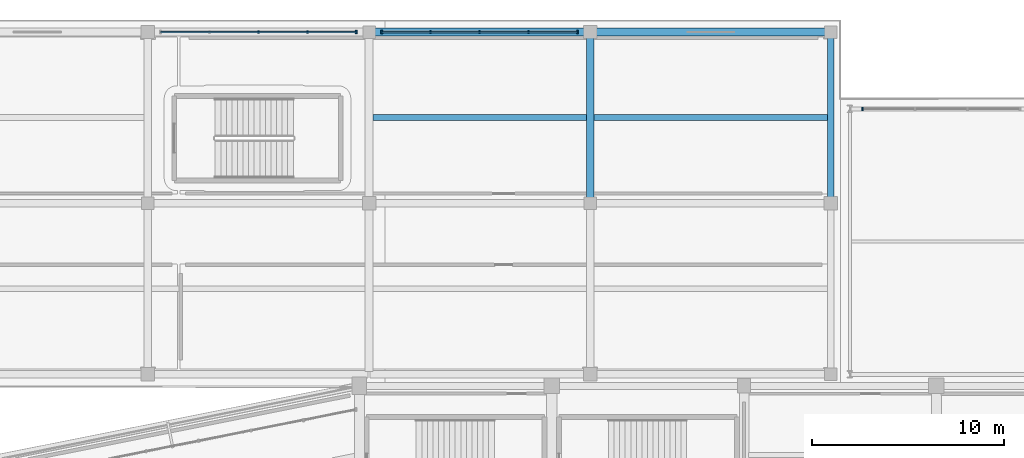
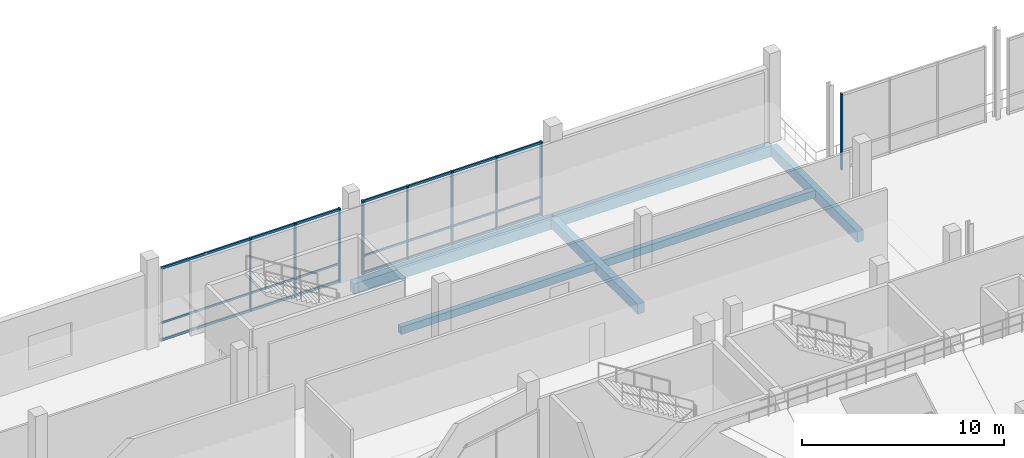
# One storey, part 53 of 127: 15 members, 6 beams, 3 elements without a shape of their own.
"""IFC4 building model written with IfcOpenShell, lengths in metres."""

from ifc_helpers import new_model, si_unit, direction, frame, origin, origin_2d, place, context, subcontext, project, spatial, rectangle, extrude, material, material_profile, profile_set, type_object, element, aggregate, save


model = new_model("IFC4")

# Units and contexts
model_context = context("Model", 3, precision=1e-05, world=origin(), true_north=direction((0.0, 1.0)))
body_context = subcontext(model_context, "Body", "Model", "MODEL_VIEW")
ifc_project = project(units=[si_unit("LENGTHUNIT", "METRE"), si_unit("AREAUNIT", "SQUARE_METRE"), si_unit("VOLUMEUNIT", "CUBIC_METRE"), si_unit("PLANEANGLEUNIT", "RADIAN"), si_unit("MASSUNIT", "GRAM", prefix="KILO")], contexts=[model_context])

# Site, building, storey
site_placement = place(None, origin())
site = spatial("IfcSite", under=ifc_project, at=site_placement, CompositionType="ELEMENT")
building_placement = place(site_placement, origin())
building = spatial("IfcBuilding", under=site, at=building_placement, Name="Candeia Ridge Stadium", CompositionType="ELEMENT")
storey_placement = place(building_placement, frame((0.0, 0.0, 10.800048828125)))
storey = spatial("IfcBuildingStorey", under=building, at=storey_placement, Name="L02", CompositionType="ELEMENT", Elevation=10.800048828125)

# Curtain wall, member
ifc_material_1 = material(Name="Aluminium Anodized Warm Bronze", Category="aluminium")
curtain_wall_type_1 = type_object("IfcCurtainWallType", Name="Museum & Boulevard Showcase Curtain Wall", PredefinedType="NOTDEFINED", material=ifc_material_1)
curtain_wall_1_placement = place(storey_placement, origin())
curtain_wall_1 = element("IfcCurtainWall", 1, at=curtain_wall_1_placement, inside=storey, type_object=curtain_wall_type_1, Name="Unitised curtain wall CW-WNG-L02-150", PredefinedType="NOTDEFINED")
ifc_material_profile_1 = material_profile(ifc_material_1, rectangle(XDim=0.090087890625, YDim=0.179931640625, at=origin_2d()), Name="CWM-90x180", Category="aluminium")
ifc_profile_set_1 = profile_set([ifc_material_profile_1], Name="Aluminium Anodized Warm Bronze")
member_type_1 = type_object("IfcMemberType", Name="Curtain Wall Primary Mullion 90x180", PredefinedType="MULLION", material=ifc_profile_set_1)
member_1_placement = place(storey_placement, frame((70.840087890625, 165.39990234375, 0.0), z_axis=(0.0, 0.0, 1.0), x_axis=(1.0, 0.0, 0.0)))
member_1 = element("IfcMember", 2, at=member_1_placement, type_object=member_type_1, Name="Curtain wall mullion CW-WNG-L02-150-M4", PredefinedType="MULLION", context=body_context, shape_type="SweptSolid", body=[
    extrude(rectangle(XDim=0.090087890625, YDim=0.179931640625, at=origin_2d()), origin(), (0.0, 0.0, 1.0), 4.454833984375),
])

# Curtain wall, members
curtain_wall_2_placement = place(storey_placement, origin())
curtain_wall_2 = element("IfcCurtainWall", 3, at=curtain_wall_2_placement, inside=storey, type_object=curtain_wall_type_1, Name="Unitised curtain wall CW-WNG-L02-151", PredefinedType="NOTDEFINED")
member_2_placement = place(storey_placement, frame((72.159912109375, 165.39990234375, 0.0), z_axis=(0.0, 0.0, 1.0), x_axis=(1.0, 0.0, 0.0)))
member_2 = element("IfcMember", 4, at=member_2_placement, type_object=member_type_1, Name="Curtain wall mullion CW-WNG-L02-151-M0", PredefinedType="MULLION", context=body_context, shape_type="SweptSolid", body=[
    extrude(rectangle(XDim=0.090087890625, YDim=0.179931640625, at=origin_2d()), origin(), (0.0, 0.0, 1.0), 4.454833984375),
])
member_3_placement = place(storey_placement, frame((82.340087890625, 165.39990234375, 0.0), z_axis=(0.0, 0.0, 1.0), x_axis=(1.0, 0.0, 0.0)))
member_3 = element("IfcMember", 5, at=member_3_placement, type_object=member_type_1, Name="Curtain wall mullion CW-WNG-L02-151-M4", PredefinedType="MULLION", context=body_context, shape_type="SweptSolid", body=[
    extrude(rectangle(XDim=0.090087890625, YDim=0.179931640625, at=origin_2d()), origin(), (0.0, 0.0, 1.0), 4.454833984375),
])

# Curtain wall, member
curtain_wall_type_2 = type_object("IfcCurtainWallType", Name="Cardinal Entrance Gate Tall Glazed Curtain Wall", PredefinedType="NOTDEFINED", material=ifc_material_1)
curtain_wall_3_placement = place(storey_placement, origin())
curtain_wall_3 = element("IfcCurtainWall", 6, at=curtain_wall_3_placement, inside=storey, type_object=curtain_wall_type_2, Name="Unitised curtain wall CW-WNG-L02-155", PredefinedType="NOTDEFINED")
member_4_placement = place(storey_placement, frame((97.159912109375, 161.39990234375, 0.0), z_axis=(0.0, 0.0, 1.0), x_axis=(1.0, 0.0, 0.0)))
member_4 = element("IfcMember", 7, at=member_4_placement, type_object=member_type_1, Name="Curtain wall mullion CW-WNG-L02-155-M0", PredefinedType="MULLION", context=body_context, shape_type="SweptSolid", body=[
    extrude(rectangle(XDim=0.090087890625, YDim=0.179931640625, at=origin_2d()), origin(), (0.0, 0.0, 1.0), 4.572021484375),
])
aggregate(curtain_wall_3, [member_4])

# Member
ifc_material_profile_2 = material_profile(ifc_material_1, rectangle(XDim=0.074951171875, YDim=0.14990234375, at=origin_2d()), Name="CWM-75x150", Category="aluminium")
ifc_profile_set_2 = profile_set([ifc_material_profile_2], Name="Aluminium Anodized Warm Bronze")
member_type_2 = type_object("IfcMemberType", Name="Curtain Wall Secondary Mullion 75x150", PredefinedType="MULLION", material=ifc_profile_set_2)
member_5_placement = place(storey_placement, frame((65.75, 165.39990234375, 0.0), z_axis=(0.0, 0.0, 1.0), x_axis=(1.0, 0.0, 0.0)))
member_5 = element("IfcMember", 8, at=member_5_placement, type_object=member_type_2, Name="Curtain wall mullion CW-WNG-L02-150-M2", PredefinedType="MULLION", context=body_context, shape_type="SweptSolid", body=[
    extrude(rectangle(XDim=0.074951171875, YDim=0.14990234375, at=origin_2d()), origin(), (0.0, 0.0, 1.0), 4.454833984375),
])

member_6_placement = place(storey_placement, frame((68.294921875, 165.39990234375, 0.0), z_axis=(0.0, 0.0, 1.0), x_axis=(1.0, 0.0, 0.0)))
member_6 = element("IfcMember", 9, at=member_6_placement, type_object=member_type_2, Name="Curtain wall mullion CW-WNG-L02-150-M3", PredefinedType="MULLION", context=body_context, shape_type="SweptSolid", body=[
    extrude(rectangle(XDim=0.074951171875, YDim=0.14990234375, at=origin_2d()), origin(), (0.0, 0.0, 1.0), 4.454833984375),
])

member_7_placement = place(storey_placement, frame((74.705078125, 165.39990234375, 0.0), z_axis=(0.0, 0.0, 1.0), x_axis=(1.0, 0.0, 0.0)))
member_7 = element("IfcMember", 10, at=member_7_placement, type_object=member_type_2, Name="Curtain wall mullion CW-WNG-L02-151-M1", PredefinedType="MULLION", context=body_context, shape_type="SweptSolid", body=[
    extrude(rectangle(XDim=0.074951171875, YDim=0.14990234375, at=origin_2d()), origin(), (0.0, 0.0, 1.0), 4.454833984375),
])

member_8_placement = place(storey_placement, frame((77.25, 165.39990234375, 0.0), z_axis=(0.0, 0.0, 1.0), x_axis=(1.0, 0.0, 0.0)))
member_8 = element("IfcMember", 11, at=member_8_placement, type_object=member_type_2, Name="Curtain wall mullion CW-WNG-L02-151-M2", PredefinedType="MULLION", context=body_context, shape_type="SweptSolid", body=[
    extrude(rectangle(XDim=0.074951171875, YDim=0.14990234375, at=origin_2d()), origin(), (0.0, 0.0, 1.0), 4.454833984375),
])

member_9_placement = place(storey_placement, frame((79.794921875, 165.39990234375, 0.0), z_axis=(0.0, 0.0, 1.0), x_axis=(1.0, 0.0, 0.0)))
member_9 = element("IfcMember", 12, at=member_9_placement, type_object=member_type_2, Name="Curtain wall mullion CW-WNG-L02-151-M3", PredefinedType="MULLION", context=body_context, shape_type="SweptSolid", body=[
    extrude(rectangle(XDim=0.074951171875, YDim=0.14990234375, at=origin_2d()), origin(), (0.0, 0.0, 1.0), 4.454833984375),
])

ifc_material_profile_3 = material_profile(ifc_material_1, rectangle(XDim=0.074951171875, YDim=0.110107421875, at=origin_2d()), Name="CWT-75x110", Category="aluminium")
ifc_profile_set_3 = profile_set([ifc_material_profile_3], Name="Aluminium Anodized Warm Bronze")
member_type_3 = type_object("IfcMemberType", Name="Curtain Wall Secondary Transom 75x110", PredefinedType="USERDEFINED", material=ifc_profile_set_3)
member_10_placement = place(storey_placement, frame((60.659912109375, 165.39990234375, 1.099853515625), z_axis=(1.0, 0.0, 0.0), x_axis=(0.0, 1.0, 0.0)))
member_10 = element("IfcMember", 13, at=member_10_placement, type_object=member_type_3, Name="Curtain wall transom CW-WNG-L02-150-T1", ObjectType="TRANSOM", PredefinedType="USERDEFINED", context=body_context, shape_type="SweptSolid", body=[
    extrude(rectangle(XDim=0.074951171875, YDim=0.110107421875, at=origin_2d()), origin(), (0.0, 0.0, 1.0), 10.18017578125),
])

member_11_placement = place(storey_placement, frame((72.159912109375, 165.39990234375, 1.099853515625), z_axis=(1.0, 0.0, 0.0), x_axis=(0.0, 1.0, 0.0)))
member_11 = element("IfcMember", 14, at=member_11_placement, type_object=member_type_3, Name="Curtain wall transom CW-WNG-L02-151-T1", ObjectType="TRANSOM", PredefinedType="USERDEFINED", context=body_context, shape_type="SweptSolid", body=[
    extrude(rectangle(XDim=0.074951171875, YDim=0.110107421875, at=origin_2d()), origin(), (0.0, 0.0, 1.0), 10.18017578125),
])

ifc_material_profile_4 = material_profile(ifc_material_1, rectangle(XDim=0.090087890625, YDim=0.139892578125, at=origin_2d()), Name="CWT-90x140", Category="aluminium")
ifc_profile_set_4 = profile_set([ifc_material_profile_4], Name="Aluminium Anodized Warm Bronze")
member_type_4 = type_object("IfcMemberType", Name="Curtain Wall Transom 90x140", PredefinedType="USERDEFINED", material=ifc_profile_set_4)
member_12_placement = place(storey_placement, frame((60.659912109375, 165.39990234375, 0.070068359375), z_axis=(1.0, 0.0, 0.0), x_axis=(0.0, 1.0, 0.0)))
member_12 = element("IfcMember", 15, at=member_12_placement, type_object=member_type_4, Name="Curtain wall transom CW-WNG-L02-150-T0", ObjectType="TRANSOM", PredefinedType="USERDEFINED", context=body_context, shape_type="SweptSolid", body=[
    extrude(rectangle(XDim=0.090087890625, YDim=0.139892578125, at=origin_2d()), origin(), (0.0, 0.0, 1.0), 10.18017578125),
])

member_13_placement = place(storey_placement, frame((60.659912109375, 165.39990234375, 4.385009765625), z_axis=(1.0, 0.0, 0.0), x_axis=(0.0, 1.0, 0.0)))
member_13 = element("IfcMember", 16, at=member_13_placement, type_object=member_type_4, Name="Curtain wall transom CW-WNG-L02-150-T2", ObjectType="TRANSOM", PredefinedType="USERDEFINED", context=body_context, shape_type="SweptSolid", body=[
    extrude(rectangle(XDim=0.090087890625, YDim=0.139892578125, at=origin_2d()), origin(), (0.0, 0.0, 1.0), 10.18017578125),
])

aggregate(curtain_wall_1, [member_5, member_6, member_1, member_12, member_10, member_13])

member_14_placement = place(storey_placement, frame((72.159912109375, 165.39990234375, 0.070068359375), z_axis=(1.0, 0.0, 0.0), x_axis=(0.0, 1.0, 0.0)))
member_14 = element("IfcMember", 17, at=member_14_placement, type_object=member_type_4, Name="Curtain wall transom CW-WNG-L02-151-T0", ObjectType="TRANSOM", PredefinedType="USERDEFINED", context=body_context, shape_type="SweptSolid", body=[
    extrude(rectangle(XDim=0.090087890625, YDim=0.139892578125, at=origin_2d()), origin(), (0.0, 0.0, 1.0), 10.18017578125),
])

member_15_placement = place(storey_placement, frame((72.159912109375, 165.39990234375, 4.385009765625), z_axis=(1.0, 0.0, 0.0), x_axis=(0.0, 1.0, 0.0)))
member_15 = element("IfcMember", 18, at=member_15_placement, type_object=member_type_4, Name="Curtain wall transom CW-WNG-L02-151-T2", ObjectType="TRANSOM", PredefinedType="USERDEFINED", context=body_context, shape_type="SweptSolid", body=[
    extrude(rectangle(XDim=0.090087890625, YDim=0.139892578125, at=origin_2d()), origin(), (0.0, 0.0, 1.0), 10.18017578125),
])

aggregate(curtain_wall_2, [member_2, member_7, member_8, member_9, member_3, member_14, member_11, member_15])

# Beams
ifc_material_2 = material(Name="Concrete C40/50", Category="concrete")
ifc_material_profile_5 = material_profile(ifc_material_2, rectangle(XDim=0.300048828125, YDim=0.449951171875, at=origin_2d()), Name="RC300x450", Category="concrete")
ifc_profile_set_5 = profile_set([ifc_material_profile_5], Name="Concrete C40/50")
beam_type_1 = type_object("IfcBeamType", Name="Floor Joist RC300x450", PredefinedType="JOIST", material=ifc_profile_set_5)
beam_1_placement = place(storey_placement, frame((71.699462890625, 160.949951171875, -0.485107421875), z_axis=(1.0, 0.0, 0.0), x_axis=(0.0, 1.0, 0.0)))
element("IfcBeam", 19, at=beam_1_placement, inside=storey, type_object=beam_type_1, Name="Wing secondary joist BM-L02-1725", PredefinedType="JOIST", context=body_context, shape_type="SweptSolid", body=[
    extrude(rectangle(XDim=0.300048828125, YDim=0.449951171875, at=origin_2d()), origin(), (0.0, 0.0, 1.0), 11.10107421875),
])
beam_2_placement = place(storey_placement, frame((83.199462890625, 160.949951171875, -0.485107421875), z_axis=(1.0, 0.0, 0.0), x_axis=(0.0, 1.0, 0.0)))
element("IfcBeam", 20, at=beam_2_placement, inside=storey, type_object=beam_type_1, Name="Wing secondary joist BM-L02-1730", PredefinedType="JOIST", context=body_context, shape_type="SweptSolid", body=[
    extrude(rectangle(XDim=0.300048828125, YDim=0.449951171875, at=origin_2d()), origin(), (0.0, 0.0, 1.0), 12.1259765625),
])
ifc_material_profile_6 = material_profile(ifc_material_2, rectangle(XDim=0.39990234375, YDim=0.60009765625, at=origin_2d()), Name="RC400x600", Category="concrete")
ifc_profile_set_6 = profile_set([ifc_material_profile_6], Name="Concrete C40/50")
beam_type_2 = type_object("IfcBeamType", Name="Frame Girder RC400x600", PredefinedType="BEAM", material=ifc_profile_set_6)
beam_3_placement = place(storey_placement, frame((83.0, 156.659912109375, -0.56005859375), z_axis=(0.0, 1.0, 0.0), x_axis=(-1.0, 0.0, 0.0)))
element("IfcBeam", 21, at=beam_3_placement, inside=storey, type_object=beam_type_2, Name="Structural girder BM-L02-1701", PredefinedType="BEAM", context=body_context, shape_type="SweptSolid", body=[
    extrude(rectangle(XDim=0.39990234375, YDim=0.60009765625, at=origin_2d()), origin(), (0.0, 0.0, 1.0), 8.580078125),
])
ifc_material_profile_7 = material_profile(ifc_material_2, rectangle(XDim=0.35009765625, YDim=0.64990234375, at=origin_2d()), Name="RC350x650", Category="concrete")
ifc_profile_set_7 = profile_set([ifc_material_profile_7], Name="Concrete C40/50")
beam_type_3 = type_object("IfcBeamType", Name="Spandrel Beam RC350x650", PredefinedType="SPANDREL", material=ifc_profile_set_7)
beam_4_placement = place(storey_placement, frame((95.5, 156.659912109375, -0.5849609375), z_axis=(0.0, 1.0, 0.0), x_axis=(-1.0, 0.0, 0.0)))
element("IfcBeam", 22, at=beam_4_placement, inside=storey, type_object=beam_type_3, Name="Structural girder BM-L02-1703", PredefinedType="SPANDREL", context=body_context, shape_type="SweptSolid", body=[
    extrude(rectangle(XDim=0.35009765625, YDim=0.64990234375, at=origin_2d()), origin(), (0.0, 0.0, 1.0), 8.580078125),
])
ifc_material_profile_8 = material_profile(ifc_material_2, rectangle(XDim=0.39990234375, YDim=0.64990234375, at=origin_2d()), Name="RC400x650", Category="concrete")
ifc_profile_set_8 = profile_set([ifc_material_profile_8], Name="Concrete C40/50")
beam_type_4 = type_object("IfcBeamType", Name="Wing Primary Girder RC400x650", PredefinedType="BEAM", material=ifc_profile_set_8)
beam_5_placement = place(storey_placement, frame((71.550048828125, 165.39990234375, -0.5849609375), z_axis=(1.0, 0.0, 0.0), x_axis=(0.0, 1.0, 0.0)))
element("IfcBeam", 23, at=beam_5_placement, inside=storey, type_object=beam_type_4, Name="Structural girder BM-L02-1726", PredefinedType="BEAM", context=body_context, shape_type="SweptSolid", body=[
    extrude(rectangle(XDim=0.39990234375, YDim=0.64990234375, at=origin_2d()), origin(), (0.0, 0.0, 1.0), 11.39990234375),
])
beam_6_placement = place(storey_placement, frame((83.050048828125, 165.39990234375, -0.5849609375), z_axis=(1.0, 0.0, 0.0), x_axis=(0.0, 1.0, 0.0)))
element("IfcBeam", 24, at=beam_6_placement, inside=storey, type_object=beam_type_4, Name="Structural girder BM-L02-1731", PredefinedType="BEAM", context=body_context, shape_type="SweptSolid", body=[
    extrude(rectangle(XDim=0.39990234375, YDim=0.64990234375, at=origin_2d()), origin(), (0.0, 0.0, 1.0), 12.39990234375),
])

save(model, "model.ifc")
